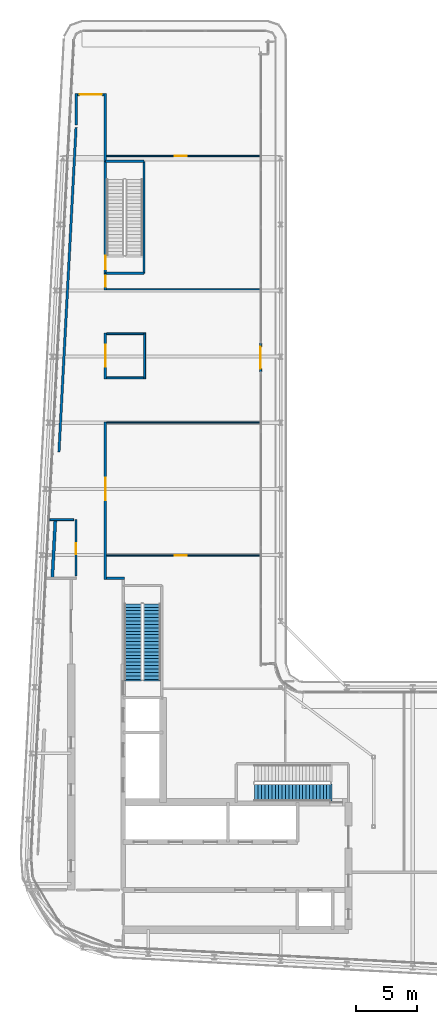
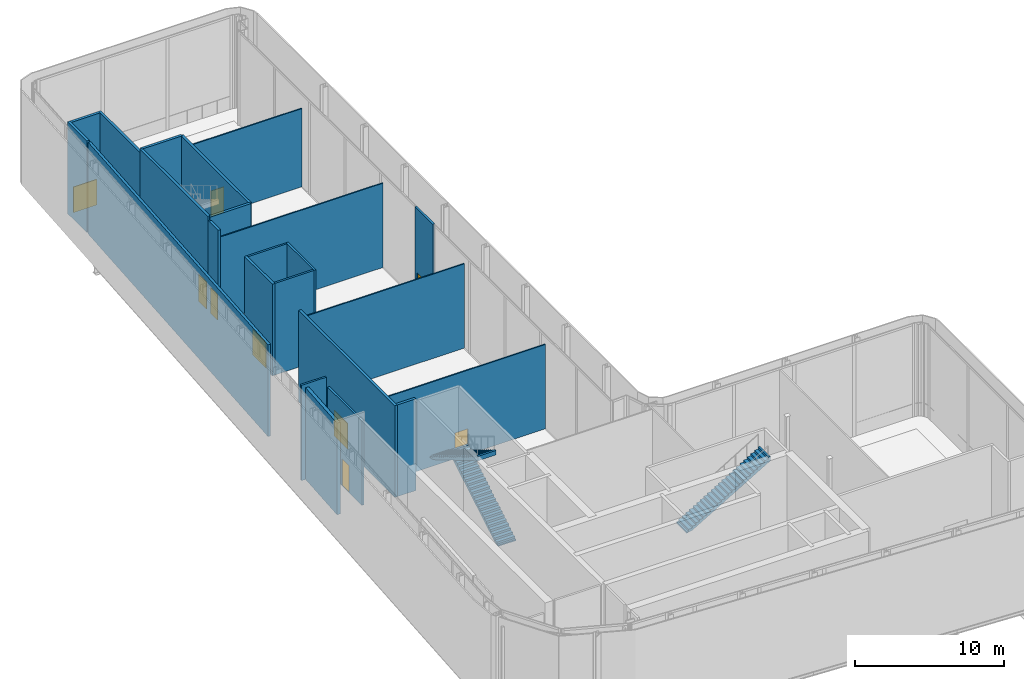
# One storey, part 23 of 28: 23 walls, 9 doors, 3 stair flights, 9 openings, 2 elements without a shape of their own.
"""IFC4 building model written with IfcOpenShell, lengths in metres."""

from ifc_helpers import new_model, si_unit, direction, frame, frame_2d, origin, place, context, subcontext, project, spatial, polyline, rectangle, outline, extrude, source, transform, mapped, material, layer, layer_set, type_object, element, fill, aggregate, save


model = new_model("IFC4")

# Units and contexts
model_context = context("Model", 3, precision=1e-05, world=origin(), true_north=direction((0.0, 1.0)))
body_context = subcontext(model_context, "Body", "Model", "MODEL_VIEW")
ifc_project = project(units=[si_unit("LENGTHUNIT", "METRE"), si_unit("AREAUNIT", "SQUARE_METRE"), si_unit("VOLUMEUNIT", "CUBIC_METRE"), si_unit("PLANEANGLEUNIT", "RADIAN"), si_unit("MASSUNIT", "GRAM", prefix="KILO")], contexts=[model_context])

# Site, building, storey
site_placement = place(None, origin())
site = spatial("IfcSite", under=ifc_project, at=site_placement, CompositionType="ELEMENT")
building_placement = place(site_placement, origin())
building = spatial("IfcBuilding", under=site, at=building_placement, Name="Kheshtan School and Residences Tower", CompositionType="ELEMENT")
storey_placement = place(building_placement, frame((0.0, 0.0, 325.39990234375)))
storey = spatial("IfcBuildingStorey", under=building, at=storey_placement, Name="L77", CompositionType="ELEMENT", Elevation=325.39990234375)

# Walls
ifc_material_1 = material(Name="Gypsum board on steel studs with fire boards", Category="steel")
ifc_layer_1 = layer(ifc_material_1, 0.199951171875)
ifc_layer_set_1 = layer_set([ifc_layer_1], Name="Corridor wall 200")
wall_type_1 = type_object("IfcWallType", Name="Corridor wall 200", PredefinedType="PARTITIONING", material=ifc_layer_set_1)
wall_1_placement = place(storey_placement, frame((29.5009765625, 64.800048828125, 0.0), z_axis=(0.0, 0.0, 1.0), x_axis=(0.052619165502, 0.998614652117, 0.0)))
element("IfcWall", 1, at=wall_1_placement, inside=storey, type_object=wall_type_1, Name="Partition L77-016", PredefinedType="PARTITIONING", context=body_context, shape_type="SweptSolid", body=[
    extrude(rectangle(XDim=26.548828125, YDim=0.199951171875, at=frame_2d((13.2744140625, 0.0))), origin(), (0.0, 0.0, 1.0), 7.5),
])
wall_2_placement = place(storey_placement, frame((30.89990234375, 91.511962890625, 0.0), z_axis=(0.0, 0.0, 1.0), x_axis=(0.0, 1.0, 0.0)))
element("IfcWall", 2, at=wall_2_placement, inside=storey, type_object=wall_type_1, Name="Partition L77-019", PredefinedType="PARTITIONING", context=body_context, shape_type="SweptSolid", body=[
    extrude(rectangle(XDim=2.588134765625, YDim=0.199951171875, at=frame_2d((1.2939453125, 0.0))), origin(), (0.0, 0.0, 1.0), 7.5),
])

# Wall, opening, door
wall_3_placement = place(storey_placement, frame((31.0, 94.0, 0.0), z_axis=(0.0, 0.0, 1.0), x_axis=(1.0, 0.0, 0.0)))
wall_3 = element("IfcWall", 3, at=wall_3_placement, inside=storey, type_object=wall_type_1, Name="Partition L77-020", PredefinedType="PARTITIONING", context=body_context, shape_type="SweptSolid", body=[
    extrude(rectangle(XDim=2.199951171875, YDim=0.199951171875, at=frame_2d((1.10009765625, 0.0))), origin(), (0.0, 0.0, 1.0), 7.5),
])
opening_1_placement = place(wall_3_placement, frame((0.197998046875, 0.0, 0.0)))
opening_1 = element("IfcOpeningElement", 4, at=opening_1_placement, cuts=wall_3, Name="Opening D77-008", PredefinedType="OPENING", context=body_context, shape_type="SweptSolid", body=[
    extrude(rectangle(XDim=1.800048828125, YDim=2.10009765625, at=frame_2d((0.89990234375, 1.050048828125))), frame((0.0, 0.10986328125, 0.0), z_axis=(0.0, -1.0, 0.0), x_axis=(1.0, 0.0, 0.0)), (0.0, 0.0, 1.0), 0.219970703125),
])
ifc_material_2 = material(Name="Steel-framed fire-resisting door leaf", Category="steel")
door_type_1 = type_object("IfcDoorType", Name="Fire double door FD60 1800 x 2100", OperationType="DOUBLE_DOOR_SINGLE_SWING", PredefinedType="DOOR", material=ifc_material_2)
shared_shape_1 = source(origin(), body_context, "Body", "SweptSolid", [
    extrude(rectangle(XDim=1.800048828125, YDim=2.10009765625, at=frame_2d((0.89990234375, 1.050048828125))), frame((0.0, 0.02490234375, 0.0), z_axis=(0.0, -1.0, 0.0), x_axis=(1.0, 0.0, 0.0)), (0.0, 0.0, 1.0), 0.050048828125),
])
door_1_placement = place(opening_1_placement, origin())
door_1 = element("IfcDoor", 5, at=door_1_placement, inside=storey, type_object=door_type_1, Name="Door D77-008", OperationType="DOUBLE_DOOR_SINGLE_SWING", OverallHeight=2.10009765625, OverallWidth=1.800048828125, PredefinedType="DOOR", context=body_context, shape_type="MappedRepresentation", body=[
    mapped(shared_shape_1, transform((0.0, 0.0, 0.0), x_axis=(1.0, 0.0, 0.0), y_axis=(0.0, 1.0, 0.0), z_axis=(0.0, 0.0, 1.0), scale=1.0)),
])
fill(opening_1, door_1)

wall_4_placement = place(storey_placement, frame((33.300048828125, 54.39990234375, 0.0), z_axis=(0.0, 0.0, 1.0), x_axis=(0.0, 1.0, 0.0)))
wall_4 = element("IfcWall", 6, at=wall_4_placement, inside=storey, type_object=wall_type_1, Name="Partition L77-024", PredefinedType="PARTITIONING", context=body_context, shape_type="SweptSolid", body=[
    extrude(rectangle(XDim=12.882080078125, YDim=0.199951171875, at=frame_2d((6.44091796875, 0.0))), origin(), (0.0, 0.0, 1.0), 7.5),
])
opening_2_placement = place(wall_4_placement, frame((6.492919921875, 0.0, 0.0)))
opening_2 = element("IfcOpeningElement", 7, at=opening_2_placement, cuts=wall_4, Name="Opening D77-006", PredefinedType="OPENING", context=body_context, shape_type="SweptSolid", body=[
    extrude(rectangle(XDim=1.800048828125, YDim=2.10009765625, at=frame_2d((0.89990234375, 1.050048828125))), frame((0.0, 0.10986328125, 0.0), z_axis=(0.0, -1.0, 0.0), x_axis=(1.0, 0.0, 0.0)), (0.0, 0.0, 1.0), 0.219970703125),
])
door_2_placement = place(opening_2_placement, origin())
door_2 = element("IfcDoor", 8, at=door_2_placement, inside=storey, type_object=door_type_1, Name="Door D77-006", OperationType="DOUBLE_DOOR_SINGLE_SWING", OverallHeight=2.10009765625, OverallWidth=1.800048828125, PredefinedType="DOOR", context=body_context, shape_type="MappedRepresentation", body=[
    mapped(shared_shape_1, transform((0.0, 0.0, 0.0), x_axis=(1.0, 0.0, 0.0), y_axis=(0.0, 1.0, 0.0), z_axis=(0.0, 0.0, 1.0), scale=1.0)),
])
fill(opening_2, door_2)

wall_5_placement = place(storey_placement, frame((33.300048828125, 70.797119140625, 0.0), z_axis=(0.0, 0.0, 1.0), x_axis=(0.0, 1.0, 0.0)))
wall_5 = element("IfcWall", 9, at=wall_5_placement, inside=storey, type_object=wall_type_1, Name="Partition L77-025", PredefinedType="PARTITIONING", context=body_context, shape_type="SweptSolid", body=[
    extrude(rectangle(XDim=3.75, YDim=0.199951171875, at=frame_2d((1.875, 0.0))), origin(), (0.0, 0.0, 1.0), 7.5),
])
opening_3_placement = place(wall_5_placement, frame((0.97509765625, 0.0, 0.0)))
opening_3 = element("IfcOpeningElement", 10, at=opening_3_placement, cuts=wall_5, Name="Opening D77-007", PredefinedType="OPENING", context=body_context, shape_type="SweptSolid", body=[
    extrude(rectangle(XDim=1.800048828125, YDim=2.10009765625, at=frame_2d((0.89990234375, 1.050048828125))), frame((0.0, 0.10986328125, 0.0), z_axis=(0.0, -1.0, 0.0), x_axis=(1.0, 0.0, 0.0)), (0.0, 0.0, 1.0), 0.219970703125),
])
door_3_placement = place(opening_3_placement, origin())
door_3 = element("IfcDoor", 11, at=door_3_placement, inside=storey, type_object=door_type_1, Name="Door D77-007", OperationType="DOUBLE_DOOR_SINGLE_SWING", OverallHeight=2.10009765625, OverallWidth=1.800048828125, PredefinedType="DOOR", context=body_context, shape_type="MappedRepresentation", body=[
    mapped(shared_shape_1, transform((0.0, 0.0, 0.0), x_axis=(1.0, 0.0, 0.0), y_axis=(0.0, 1.0, 0.0), z_axis=(0.0, 0.0, 1.0), scale=1.0)),
])
fill(opening_3, door_3)

wall_6_placement = place(storey_placement, frame((33.300048828125, 78.06201171875, 0.0), z_axis=(0.0, 0.0, 1.0), x_axis=(0.0, 1.0, 0.0)))
wall_6 = element("IfcWall", 12, at=wall_6_placement, inside=storey, type_object=wall_type_1, Name="Partition L77-026", PredefinedType="PARTITIONING", context=body_context, shape_type="SweptSolid", body=[
    extrude(rectangle(XDim=1.337890625, YDim=0.199951171875, at=frame_2d((0.6689453125, 0.0))), origin(), (0.0, 0.0, 1.0), 7.5),
])
opening_4_placement = place(wall_6_placement, frame((0.25, 0.0, 0.0)))
opening_4 = element("IfcOpeningElement", 13, at=opening_4_placement, cuts=wall_6, Name="Opening D77-010", PredefinedType="OPENING", context=body_context, shape_type="SweptSolid", body=[
    extrude(rectangle(XDim=0.89990234375, YDim=2.10009765625, at=frame_2d((0.449951171875, 1.050048828125))), frame((0.0, 0.10986328125, 0.0), z_axis=(0.0, -1.0, 0.0), x_axis=(1.0, 0.0, 0.0)), (0.0, 0.0, 1.0), 0.219970703125),
])
door_type_2 = type_object("IfcDoorType", Name="Fire door FD60 900 x 2100", OperationType="SINGLE_SWING_LEFT", PredefinedType="DOOR", material=ifc_material_2)
shared_shape_2 = source(origin(), body_context, "Body", "SweptSolid", [
    extrude(rectangle(XDim=0.89990234375, YDim=2.10009765625, at=frame_2d((0.449951171875, 1.050048828125))), frame((0.0, 0.02490234375, 0.0), z_axis=(0.0, -1.0, 0.0), x_axis=(1.0, 0.0, 0.0)), (0.0, 0.0, 1.0), 0.050048828125),
])
door_4_placement = place(opening_4_placement, origin())
door_4 = element("IfcDoor", 14, at=door_4_placement, inside=storey, type_object=door_type_2, Name="Door D77-010", OperationType="SINGLE_SWING_RIGHT", OverallHeight=2.10009765625, OverallWidth=0.89990234375, PredefinedType="DOOR", context=body_context, shape_type="MappedRepresentation", body=[
    mapped(shared_shape_2, transform((0.0, 0.0, 0.0), x_axis=(1.0, 0.0, 0.0), y_axis=(0.0, 1.0, 0.0), z_axis=(0.0, 0.0, 1.0), scale=1.0)),
])
fill(opening_4, door_4)

# Walls
wall_7_placement = place(storey_placement, frame((33.300048828125, 88.56005859375, 0.0), z_axis=(0.0, 0.0, 1.0), x_axis=(0.0, 1.0, 0.0)))
element("IfcWall", 15, at=wall_7_placement, inside=storey, type_object=wall_type_1, Name="Partition L77-027", PredefinedType="PARTITIONING", context=body_context, shape_type="SweptSolid", body=[
    extrude(rectangle(XDim=5.5400390625, YDim=0.199951171875, at=frame_2d((2.77001953125, 0.0))), origin(), (0.0, 0.0, 1.0), 7.5),
])
wall_8_placement = place(storey_placement, frame((33.39990234375, 54.5, 0.0), z_axis=(0.0, 0.0, 1.0), x_axis=(1.0, 0.0, 0.0)))
element("IfcWall", 16, at=wall_8_placement, inside=storey, type_object=wall_type_1, Name="Partition L77-028", PredefinedType="PARTITIONING", context=body_context, shape_type="SweptSolid", body=[
    extrude(rectangle(XDim=1.4501953125, YDim=0.199951171875, at=frame_2d((0.72509765625, 0.0))), origin(), (0.0, 0.0, 1.0), 7.5),
])

# Wall, opening, door
ifc_material_3 = material(Name="Aluminium frame wall with insulated infill", Category="aluminium")
ifc_layer_2 = layer(ifc_material_3, 0.14990234375)
ifc_layer_set_2 = layer_set([ifc_layer_2], Name="Glazing frame wall 150")
wall_type_2 = type_object("IfcWallType", Name="Glazing frame wall 150", PredefinedType="SOLIDWALL", material=ifc_layer_set_2)
wall_9_placement = place(storey_placement, frame((45.97509765625, 73.699951171875, 0.0), z_axis=(0.0, 0.0, 1.0), x_axis=(0.0, -1.0, 0.0)))
wall_9 = element("IfcWall", 17, at=wall_9_placement, inside=storey, type_object=wall_type_2, Name="Terrace door wall L77 15", PredefinedType="SOLIDWALL", context=body_context, shape_type="SweptSolid", body=[
    extrude(rectangle(XDim=2.39990234375, YDim=0.14990234375, at=frame_2d((1.199951171875, 0.0))), origin(), (0.0, 0.0, 1.0), 7.650146484375),
])
opening_5_placement = place(wall_9_placement, frame((0.300048828125, 0.0, 0.0)))
opening_5 = element("IfcOpeningElement", 18, at=opening_5_placement, cuts=wall_9, Name="Opening BD", PredefinedType="OPENING", context=body_context, shape_type="SweptSolid", body=[
    extrude(rectangle(XDim=1.800048828125, YDim=2.39990234375, at=frame_2d((0.89990234375, 1.199951171875))), frame((0.0, 0.0849609375, 0.0), z_axis=(0.0, -1.0, 0.0), x_axis=(1.0, 0.0, 0.0)), (0.0, 0.0, 1.0), 0.169921875),
])
ifc_material_4 = material(Name="Clear low-e glass in thermally broken aluminium frame", Category="aluminium")
door_type_3 = type_object("IfcDoorType", Name="Balcony sliding door", OperationType="SLIDING_TO_LEFT", PredefinedType="DOOR", material=ifc_material_4)
shared_shape_3 = source(origin(), body_context, "Body", "SweptSolid", [
    extrude(rectangle(XDim=1.800048828125, YDim=2.39990234375, at=frame_2d((0.89990234375, 1.199951171875))), frame((0.0, 0.02490234375, 0.0), z_axis=(0.0, -1.0, 0.0), x_axis=(1.0, 0.0, 0.0)), (0.0, 0.0, 1.0), 0.050048828125),
])
door_5_placement = place(opening_5_placement, origin())
door_5 = element("IfcDoor", 19, at=door_5_placement, inside=storey, type_object=door_type_3, Name="Terrace door L77 15", OperationType="SLIDING_TO_LEFT", OverallHeight=2.39990234375, OverallWidth=1.800048828125, PredefinedType="DOOR", context=body_context, shape_type="MappedRepresentation", body=[
    mapped(shared_shape_3, transform((0.0, 0.0, 0.0), x_axis=(1.0, 0.0, 0.0), y_axis=(0.0, 1.0, 0.0), z_axis=(0.0, 0.0, 1.0), scale=1.0)),
])
fill(opening_5, door_5)

ifc_material_5 = material(Name="Gypsum board on steel studs", Category="steel")
ifc_layer_3 = layer(ifc_material_5, 0.10009765625)
ifc_layer_set_3 = layer_set([ifc_layer_3], Name="Gypsum partition 100")
wall_type_3 = type_object("IfcWallType", Name="Gypsum partition 100", PredefinedType="PARTITIONING", material=ifc_layer_set_3)
wall_10_placement = place(storey_placement, frame((33.39990234375, 56.35302734375, 0.0), z_axis=(0.0, 0.0, 1.0), x_axis=(1.0, 0.0, 0.0)))
wall_10 = element("IfcWall", 20, at=wall_10_placement, inside=storey, type_object=wall_type_3, Name="Partition L77-029", PredefinedType="PARTITIONING", context=body_context, shape_type="SweptSolid", body=[
    extrude(rectangle(XDim=12.570068359375, YDim=0.10009765625, at=frame_2d((6.28515625, 0.0))), origin(), (0.0, 0.0, 1.0), 6.897216796875),
])
opening_6_placement = place(wall_10_placement, frame((5.550048828125, 0.0, 0.0)))
opening_6 = element("IfcOpeningElement", 21, at=opening_6_placement, cuts=wall_10, Name="Opening D77-004", PredefinedType="OPENING", context=body_context, shape_type="SweptSolid", body=[
    extrude(rectangle(XDim=1.0, YDim=2.10009765625, at=frame_2d((0.5, 1.050048828125))), frame((0.0, 0.06005859375, 0.0), z_axis=(0.0, -1.0, 0.0), x_axis=(1.0, 0.0, 0.0)), (0.0, 0.0, 1.0), 0.1201171875),
])
ifc_material_6 = material(Name="Veneered timber door leaf", Category="wood")
door_type_4 = type_object("IfcDoorType", Name="Door 1000 x 2100", OperationType="SINGLE_SWING_LEFT", PredefinedType="DOOR", material=ifc_material_6)
shared_shape_4 = source(origin(), body_context, "Body", "SweptSolid", [
    extrude(rectangle(XDim=1.0, YDim=2.10009765625, at=frame_2d((0.5, 1.050048828125))), frame((0.0, 0.02490234375, 0.0), z_axis=(0.0, -1.0, 0.0), x_axis=(1.0, 0.0, 0.0)), (0.0, 0.0, 1.0), 0.050048828125),
])
door_6_placement = place(opening_6_placement, origin())
door_6 = element("IfcDoor", 22, at=door_6_placement, inside=storey, type_object=door_type_4, Name="Door D77-004", OperationType="SINGLE_SWING_LEFT", OverallHeight=2.10009765625, OverallWidth=1.0, PredefinedType="DOOR", context=body_context, shape_type="MappedRepresentation", body=[
    mapped(shared_shape_4, transform((0.0, 0.0, 0.0), x_axis=(1.0, 0.0, 0.0), y_axis=(0.0, 1.0, 0.0), z_axis=(0.0, 0.0, 1.0), scale=1.0)),
])
fill(opening_6, door_6)

# Walls
for number, where, z_axis, x_axis, name in (
    (23, (33.39990234375, 67.23193359375, 0.0), (0.0, 0.0, 1.0), (1.0, 0.0, 0.0), "Partition L77-030"),
    (24, (33.39990234375, 78.112060546875, 0.0), (0.0, 0.0, 1.0), (1.0, 0.0, 0.0), "Partition L77-033"),
):
    element("IfcWall", number, at=place(storey_placement, frame(where, z_axis=z_axis, x_axis=x_axis)), inside=storey, type_object=wall_type_3, Name=name, PredefinedType="PARTITIONING", context=body_context, shape_type="SweptSolid", body=[
        extrude(rectangle(XDim=12.570068359375, YDim=0.10009765625, at=frame_2d((6.28515625, 0.0))), origin(), (0.0, 0.0, 1.0), 6.897216796875),
    ])

# Wall, opening, door
wall_11_placement = place(storey_placement, frame((33.39990234375, 88.990966796875, 0.0), z_axis=(0.0, 0.0, 1.0), x_axis=(1.0, 0.0, 0.0)))
wall_11 = element("IfcWall", 25, at=wall_11_placement, inside=storey, type_object=wall_type_3, Name="Partition L77-034", PredefinedType="PARTITIONING", context=body_context, shape_type="SweptSolid", body=[
    extrude(rectangle(XDim=12.570068359375, YDim=0.10009765625, at=frame_2d((6.28515625, 0.0))), origin(), (0.0, 0.0, 1.0), 6.400146484375),
])
opening_7_placement = place(wall_11_placement, frame((5.550048828125, 0.0, 0.0)))
opening_7 = element("IfcOpeningElement", 26, at=opening_7_placement, cuts=wall_11, Name="Opening D77-009", PredefinedType="OPENING", context=body_context, shape_type="SweptSolid", body=[
    extrude(rectangle(XDim=1.0, YDim=2.10009765625, at=frame_2d((0.5, 1.050048828125))), frame((0.0, 0.06005859375, 0.0), z_axis=(0.0, -1.0, 0.0), x_axis=(1.0, 0.0, 0.0)), (0.0, 0.0, 1.0), 0.1201171875),
])
door_7_placement = place(opening_7_placement, origin())
door_7 = element("IfcDoor", 27, at=door_7_placement, inside=storey, type_object=door_type_4, Name="Door D77-009", OperationType="SINGLE_SWING_LEFT", OverallHeight=2.10009765625, OverallWidth=1.0, PredefinedType="DOOR", context=body_context, shape_type="MappedRepresentation", body=[
    mapped(shared_shape_4, transform((0.0, 0.0, 0.0), x_axis=(1.0, 0.0, 0.0), y_axis=(0.0, 1.0, 0.0), z_axis=(0.0, 0.0, 1.0), scale=1.0)),
])
fill(opening_7, door_7)

# Wall
ifc_material_7 = material(Name="Fire-board and steel stud wall with mineral wool", Category="steel")
ifc_layer_4 = layer(ifc_material_7, 0.25)
ifc_layer_set_4 = layer_set([ifc_layer_4], Name="Plant room wall 250")
wall_type_4 = type_object("IfcWallType", Name="Plant room wall 250", PredefinedType="PARTITIONING", material=ifc_layer_set_4)
wall_12_placement = place(storey_placement, frame((28.9609375, 54.573974609375, 0.0), z_axis=(0.0, 0.0, 1.0), x_axis=(0.052520240862, 0.998619859756, 0.0)))
element("IfcWall", 28, at=wall_12_placement, inside=storey, type_object=wall_type_4, Name="Partition L77-014", PredefinedType="PARTITIONING", context=body_context, shape_type="SweptSolid", body=[
    extrude(rectangle(XDim=4.6484375, YDim=0.25, at=frame_2d((2.32421875, 0.0))), origin(), (0.0, 0.0, 1.0), 7.5),
])

# Wall, opening, door
ifc_material_8 = material(Name="Fire-board shaft wall system")
ifc_layer_5 = layer(ifc_material_8, 0.14990234375)
ifc_layer_set_5 = layer_set([ifc_layer_5], Name="Service room wall 150")
wall_type_5 = type_object("IfcWallType", Name="Service room wall 150", PredefinedType="PARTITIONING", material=ifc_layer_set_5)
wall_13_placement = place(storey_placement, frame((30.89990234375, 54.695068359375, 0.0), z_axis=(0.0, 0.0, 1.0), x_axis=(0.0, 1.0, 0.0)))
wall_13 = element("IfcWall", 29, at=wall_13_placement, inside=storey, type_object=wall_type_5, Name="Service room wall", PredefinedType="PARTITIONING", context=body_context, shape_type="SweptSolid", body=[
    extrude(rectangle(XDim=4.594970703125, YDim=0.14990234375, at=frame_2d((2.29736328125, 0.0))), origin(), (0.0, 0.0, 1.0), 6.897216796875),
])
opening_8_placement = place(wall_13_placement, frame((1.75, 0.0, 0.0)))
opening_8 = element("IfcOpeningElement", 30, at=opening_8_placement, cuts=wall_13, Name="Opening SR90", PredefinedType="OPENING", context=body_context, shape_type="SweptSolid", body=[
    extrude(rectangle(XDim=0.89990234375, YDim=2.199951171875, at=frame_2d((0.449951171875, 1.10009765625))), frame((0.0, 0.0849609375, 0.0), z_axis=(0.0, -1.0, 0.0), x_axis=(1.0, 0.0, 0.0)), (0.0, 0.0, 1.0), 0.169921875),
])
ifc_material_9 = material(Name="Steel door leaf, galvanised", Category="steel")
door_type_5 = type_object("IfcDoorType", Name="Service room door 900 steel 90 min", OperationType="SINGLE_SWING_LEFT", PredefinedType="DOOR", material=ifc_material_9)
shared_shape_5 = source(origin(), body_context, "Body", "SweptSolid", [
    extrude(rectangle(XDim=0.89990234375, YDim=2.199951171875, at=frame_2d((0.449951171875, 1.10009765625))), frame((0.0, 0.02490234375, 0.0), z_axis=(0.0, -1.0, 0.0), x_axis=(1.0, 0.0, 0.0)), (0.0, 0.0, 1.0), 0.050048828125),
])
door_8_placement = place(opening_8_placement, origin())
door_8 = element("IfcDoor", 31, at=door_8_placement, inside=storey, type_object=door_type_5, Name="Service room door", OperationType="SINGLE_SWING_RIGHT", OverallHeight=2.199951171875, OverallWidth=0.89990234375, PredefinedType="DOOR", context=body_context, shape_type="MappedRepresentation", body=[
    mapped(shared_shape_5, transform((0.0, 0.0, 0.0), x_axis=(1.0, 0.0, 0.0), y_axis=(0.0, 1.0, 0.0), z_axis=(0.0, 0.0, 1.0), scale=1.0)),
])
fill(opening_8, door_8)

# Walls
wall_14_placement = place(storey_placement, frame((28.760009765625, 59.2900390625, 0.0), z_axis=(0.0, 0.0, 1.0), x_axis=(1.0, 0.0, 0.0)))
element("IfcWall", 32, at=wall_14_placement, inside=storey, type_object=wall_type_5, Name="Service room wall", PredefinedType="PARTITIONING", context=body_context, shape_type="SweptSolid", body=[
    extrude(rectangle(XDim=1.945068359375, YDim=0.14990234375, at=frame_2d((0.97265625, 0.0))), origin(), (0.0, 0.0, 1.0), 7.800048828125),
])
ifc_material_10 = material(Name="Concrete C40/50", Category="concrete")
ifc_layer_6 = layer(ifc_material_10, 0.199951171875)
ifc_layer_set_6 = layer_set([ifc_layer_6], Name="Stair enclosure wall 200 Concrete C40/50")
wall_type_6 = type_object("IfcWallType", Name="Stair enclosure wall 200 Concrete C40/50", PredefinedType="SHEAR", material=ifc_layer_set_6)
for number, where, z_axis, x_axis, name in (
    (33, (33.300048828125, 79.39990234375, 0.0), (0.0, 0.0, 1.0), (1.0, 0.0, 0.0), "Stair enclosure wall ST3"),
    (34, (33.300048828125, 88.56005859375, 0.0), (0.0, 0.0, 1.0), (1.0, 0.0, 0.0), "Stair enclosure wall ST3"),
):
    element("IfcWall", number, at=place(storey_placement, frame(where, z_axis=z_axis, x_axis=x_axis)), inside=storey, type_object=wall_type_6, Name=name, PredefinedType="SHEAR", context=body_context, shape_type="SweptSolid", body=[
        extrude(rectangle(XDim=3.14990234375, YDim=0.199951171875, at=frame_2d((1.574951171875, 0.0))), origin(), (0.0, 0.0, 1.0), 7.800048828125),
    ])

# Wall, opening, door
wall_15_placement = place(storey_placement, frame((33.300048828125, 79.39990234375, 0.0), z_axis=(0.0, 0.0, 1.0), x_axis=(0.0, 1.0, 0.0)))
wall_15 = element("IfcWall", 35, at=wall_15_placement, inside=storey, type_object=wall_type_6, Name="Stair enclosure wall ST3", PredefinedType="SHEAR", context=body_context, shape_type="SweptSolid", body=[
    extrude(rectangle(XDim=9.16015625, YDim=0.199951171875, at=frame_2d((4.580078125, 0.0))), origin(), (0.0, 0.0, 1.0), 7.800048828125),
])
opening_9_placement = place(wall_15_placement, frame((0.35009765625, 0.0, 0.0)))
opening_9 = element("IfcOpeningElement", 36, at=opening_9_placement, cuts=wall_15, Name="Opening ST3D", PredefinedType="OPENING", context=body_context, shape_type="SweptSolid", body=[
    extrude(rectangle(XDim=1.10009765625, YDim=2.199951171875, at=frame_2d((0.550048828125, 1.10009765625))), frame((0.0, 0.10986328125, 0.0), z_axis=(0.0, -1.0, 0.0), x_axis=(1.0, 0.0, 0.0)), (0.0, 0.0, 1.0), 0.219970703125),
])
door_type_6 = type_object("IfcDoorType", Name="Stair door 1100 steel 90 min", OperationType="SINGLE_SWING_LEFT", PredefinedType="DOOR", material=ifc_material_9)
shared_shape_6 = source(origin(), body_context, "Body", "SweptSolid", [
    extrude(rectangle(XDim=1.10009765625, YDim=2.199951171875, at=frame_2d((0.550048828125, 1.10009765625))), frame((0.0, 0.02490234375, 0.0), z_axis=(0.0, -1.0, 0.0), x_axis=(1.0, 0.0, 0.0)), (0.0, 0.0, 1.0), 0.050048828125),
])
door_9_placement = place(opening_9_placement, origin())
door_9 = element("IfcDoor", 37, at=door_9_placement, inside=storey, type_object=door_type_6, Name="Stair ST3 door", OperationType="SINGLE_SWING_RIGHT", OverallHeight=2.199951171875, OverallWidth=1.10009765625, PredefinedType="DOOR", context=body_context, shape_type="MappedRepresentation", body=[
    mapped(shared_shape_6, transform((0.0, 0.0, 0.0), x_axis=(1.0, 0.0, 0.0), y_axis=(0.0, 1.0, 0.0), z_axis=(0.0, 0.0, 1.0), scale=1.0)),
])
fill(opening_9, door_9)

# Walls
wall_16_placement = place(storey_placement, frame((36.449951171875, 79.39990234375, 0.0), z_axis=(0.0, 0.0, 1.0), x_axis=(0.0, 1.0, 0.0)))
element("IfcWall", 38, at=wall_16_placement, inside=storey, type_object=wall_type_6, Name="Stair enclosure wall ST3", PredefinedType="SHEAR", context=body_context, shape_type="SweptSolid", body=[
    extrude(rectangle(XDim=9.16015625, YDim=0.199951171875, at=frame_2d((4.580078125, 0.0))), origin(), (0.0, 0.0, 1.0), 7.800048828125),
])
ifc_material_11 = material(Name="Moisture-resistant gypsum board on steel studs", Category="steel")
ifc_layer_7 = layer(ifc_material_11, 0.14990234375)
ifc_layer_set_7 = layer_set([ifc_layer_7], Name="Wet-room partition 150")
wall_type_7 = type_object("IfcWallType", Name="Wet-room partition 150", PredefinedType="PARTITIONING", material=ifc_layer_set_7)
for number, where, z_axis, x_axis, name in (
    (39, (33.39990234375, 70.8720703125, 0.0), (0.0, 0.0, 1.0), (1.0, 0.0, 0.0), "Partition L77-031"),
    (40, (33.39990234375, 74.471923828125, 0.0), (0.0, 0.0, 1.0), (1.0, 0.0, 0.0), "Partition L77-032"),
):
    element("IfcWall", number, at=place(storey_placement, frame(where, z_axis=z_axis, x_axis=x_axis)), inside=storey, type_object=wall_type_7, Name=name, PredefinedType="PARTITIONING", context=body_context, shape_type="SweptSolid", body=[
        extrude(rectangle(XDim=3.025146484375, YDim=0.14990234375, at=frame_2d((1.5126953125, 0.0))), origin(), (0.0, 0.0, 1.0), 7.5),
    ])
wall_17_placement = place(storey_placement, frame((36.5, 70.797119140625, 0.0), z_axis=(0.0, 0.0, 1.0), x_axis=(0.0, 1.0, 0.0)))
element("IfcWall", 41, at=wall_17_placement, inside=storey, type_object=wall_type_7, Name="Partition L77-039", PredefinedType="PARTITIONING", context=body_context, shape_type="SweptSolid", body=[
    extrude(rectangle(XDim=3.75, YDim=0.14990234375, at=frame_2d((1.875, 0.0))), origin(), (0.0, 0.0, 1.0), 7.5),
])

# Stair, stair flight
stair_type = type_object("IfcStairType", Name="Exit stair, half-turn", PredefinedType="HALF_TURN_STAIR", material=ifc_material_10)
stair_1_placement = place(storey_placement, origin())
stair_1 = element("IfcStair", 42, at=stair_1_placement, inside=storey, type_object=stair_type, Name="L77 Protected Exit Stair ST1", PredefinedType="HALF_TURN_STAIR")
ifc_layer_8 = layer(ifc_material_10, 0.14990234375)
ifc_layer_set_8 = layer_set([ifc_layer_8], Name="Stair flight 1400 Concrete C40/50")
stair_flight_type = type_object("IfcStairFlightType", Name="Stair flight 1400 Concrete C40/50", PredefinedType="STRAIGHT", material=ifc_layer_set_8)
stair_flight_1_placement = place(storey_placement, frame((45.489990234375, 37.0, 3.900146484375), z_axis=(0.0, 0.0, 1.0), x_axis=(1.0, 0.0, 0.0)))
stair_flight_1 = element("IfcStairFlight", 43, at=stair_flight_1_placement, type_object=stair_flight_type, Name="ST1 flight 2", NumberOfRisers=23, NumberOfTreads=22, PredefinedType="STRAIGHT", RiserHeight=0.169565217, TreadLength=0.28, context=body_context, shape_type="SweptSolid", body=[
    extrude(outline(polyline([(-0.14990234375, -0.10009765625), (-0.14990234375, 0.0), (0.0, 0.0), (0.0, 0.169677734375), (0.280029296875, 0.169677734375), (0.280029296875, 0.339111328125), (0.56005859375, 0.339111328125), (0.56005859375, 0.5087890625), (0.840087890625, 0.5087890625), (0.840087890625, 0.67822265625), (1.1201171875, 0.67822265625), (1.1201171875, 0.847900390625), (1.39990234375, 0.847900390625), (1.39990234375, 1.017333984375), (1.679931640625, 1.017333984375), (1.679931640625, 1.18701171875), (1.9599609375, 1.18701171875), (1.9599609375, 1.3564453125), (2.239990234375, 1.3564453125), (2.239990234375, 1.526123046875), (2.52001953125, 1.526123046875), (2.52001953125, 1.695556640625), (2.800048828125, 1.695556640625), (2.800048828125, 1.865234375), (3.080078125, 1.865234375), (3.080078125, 2.03466796875), (3.360107421875, 2.03466796875), (3.360107421875, 2.204345703125), (3.639892578125, 2.204345703125), (3.639892578125, 2.3740234375), (3.919921875, 2.3740234375), (3.919921875, 2.54345703125), (4.199951171875, 2.54345703125), (4.199951171875, 2.713134765625), (4.47998046875, 2.713134765625), (4.47998046875, 2.882568359375), (4.760009765625, 2.882568359375), (4.760009765625, 3.05224609375), (5.0400390625, 3.05224609375), (5.0400390625, 3.2216796875), (5.320068359375, 3.2216796875), (5.320068359375, 3.391357421875), (5.60009765625, 3.391357421875), (5.60009765625, 3.560791015625), (5.8798828125, 3.560791015625), (5.8798828125, 3.73046875), (6.159912109375, 3.73046875), (6.159912109375, 3.89990234375), (6.159912109375, 3.919921875), (6.309814453125, 3.919921875), (6.309814453125, 3.55517578125), (0.289306640625, 0.0), (-0.14990234375, -0.10009765625)])), frame((0.0, 0.699951171875, 0.0), z_axis=(0.0, -1.0, 0.0), x_axis=(1.0, 0.0, 0.0)), (0.0, 0.0, 1.0), 1.39990234375),
])
aggregate(stair_1, [stair_flight_1])

# Stair, stair flights
stair_2_placement = place(storey_placement, origin())
stair_2 = element("IfcStair", 44, at=stair_2_placement, inside=storey, type_object=stair_type, Name="L77 Protected Exit Stair ST2", PredefinedType="HALF_TURN_STAIR")
stair_flight_2_placement = place(storey_placement, frame((37.10009765625, 46.25, 0.0), z_axis=(0.0, 0.0, 1.0), x_axis=(0.0, 1.0, 0.0)))
stair_flight_2 = element("IfcStairFlight", 45, at=stair_flight_2_placement, type_object=stair_flight_type, Name="ST2 flight 1", NumberOfRisers=23, NumberOfTreads=22, PredefinedType="STRAIGHT", RiserHeight=0.169565217, TreadLength=0.28, context=body_context, shape_type="SweptSolid", body=[
    extrude(outline(polyline([(-0.14990234375, -0.10009765625), (-0.14990234375, 0.0), (0.0, 0.0), (0.0, 0.169677734375), (0.280029296875, 0.169677734375), (0.280029296875, 0.339111328125), (0.56005859375, 0.339111328125), (0.56005859375, 0.5087890625), (0.840087890625, 0.5087890625), (0.840087890625, 0.67822265625), (1.1201171875, 0.67822265625), (1.1201171875, 0.847900390625), (1.39990234375, 0.847900390625), (1.39990234375, 1.017333984375), (1.679931640625, 1.017333984375), (1.679931640625, 1.18701171875), (1.9599609375, 1.18701171875), (1.9599609375, 1.3564453125), (2.239990234375, 1.3564453125), (2.239990234375, 1.526123046875), (2.52001953125, 1.526123046875), (2.52001953125, 1.695556640625), (2.800048828125, 1.695556640625), (2.800048828125, 1.865234375), (3.080078125, 1.865234375), (3.080078125, 2.03466796875), (3.360107421875, 2.03466796875), (3.360107421875, 2.204345703125), (3.639892578125, 2.204345703125), (3.639892578125, 2.3740234375), (3.919921875, 2.3740234375), (3.919921875, 2.54345703125), (4.199951171875, 2.54345703125), (4.199951171875, 2.713134765625), (4.47998046875, 2.713134765625), (4.47998046875, 2.882568359375), (4.760009765625, 2.882568359375), (4.760009765625, 3.05224609375), (5.0400390625, 3.05224609375), (5.0400390625, 3.2216796875), (5.320068359375, 3.2216796875), (5.320068359375, 3.391357421875), (5.60009765625, 3.391357421875), (5.60009765625, 3.560791015625), (5.8798828125, 3.560791015625), (5.8798828125, 3.73046875), (6.159912109375, 3.73046875), (6.159912109375, 3.89990234375), (6.159912109375, 3.919921875), (6.309814453125, 3.919921875), (6.309814453125, 3.55517578125), (0.289306640625, 0.0), (-0.14990234375, -0.10009765625)])), frame((0.0, 0.699951171875, 0.0), z_axis=(0.0, -1.0, 0.0), x_axis=(1.0, 0.0, 0.0)), (0.0, 0.0, 1.0), 1.39990234375),
])
stair_flight_3_placement = place(storey_placement, frame((35.550048828125, 52.409912109375, 3.900146484375), z_axis=(0.0, 0.0, 1.0), x_axis=(0.0, -1.0, 0.0)))
stair_flight_3 = element("IfcStairFlight", 46, at=stair_flight_3_placement, type_object=stair_flight_type, Name="ST2 flight 2", NumberOfRisers=23, NumberOfTreads=22, PredefinedType="STRAIGHT", RiserHeight=0.169565217, TreadLength=0.28, context=body_context, shape_type="SweptSolid", body=[
    extrude(outline(polyline([(-0.14990234375, -0.10009765625), (-0.14990234375, 0.0), (0.0, 0.0), (0.0, 0.169677734375), (0.280029296875, 0.169677734375), (0.280029296875, 0.339111328125), (0.56005859375, 0.339111328125), (0.56005859375, 0.5087890625), (0.840087890625, 0.5087890625), (0.840087890625, 0.67822265625), (1.1201171875, 0.67822265625), (1.1201171875, 0.847900390625), (1.39990234375, 0.847900390625), (1.39990234375, 1.017333984375), (1.679931640625, 1.017333984375), (1.679931640625, 1.18701171875), (1.9599609375, 1.18701171875), (1.9599609375, 1.3564453125), (2.239990234375, 1.3564453125), (2.239990234375, 1.526123046875), (2.52001953125, 1.526123046875), (2.52001953125, 1.695556640625), (2.800048828125, 1.695556640625), (2.800048828125, 1.865234375), (3.080078125, 1.865234375), (3.080078125, 2.03466796875), (3.360107421875, 2.03466796875), (3.360107421875, 2.204345703125), (3.639892578125, 2.204345703125), (3.639892578125, 2.3740234375), (3.919921875, 2.3740234375), (3.919921875, 2.54345703125), (4.199951171875, 2.54345703125), (4.199951171875, 2.713134765625), (4.47998046875, 2.713134765625), (4.47998046875, 2.882568359375), (4.760009765625, 2.882568359375), (4.760009765625, 3.05224609375), (5.0400390625, 3.05224609375), (5.0400390625, 3.2216796875), (5.320068359375, 3.2216796875), (5.320068359375, 3.391357421875), (5.60009765625, 3.391357421875), (5.60009765625, 3.560791015625), (5.8798828125, 3.560791015625), (5.8798828125, 3.73046875), (6.159912109375, 3.73046875), (6.159912109375, 3.89990234375), (6.159912109375, 3.919921875), (6.309814453125, 3.919921875), (6.309814453125, 3.55517578125), (0.289306640625, 0.0), (-0.14990234375, -0.10009765625)])), frame((0.0, 0.699951171875, 0.0), z_axis=(0.0, -1.0, 0.0), x_axis=(1.0, 0.0, 0.0)), (0.0, 0.0, 1.0), 1.39990234375),
])
aggregate(stair_2, [stair_flight_2, stair_flight_3])

save(model, "model.ifc")
